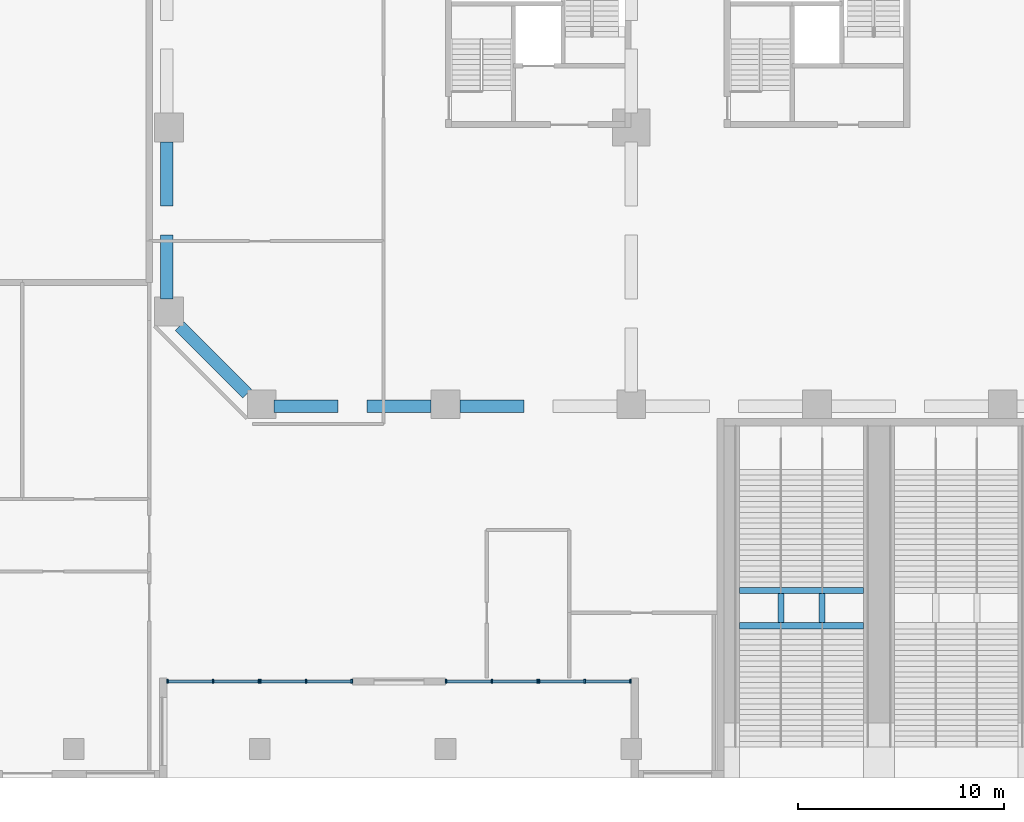
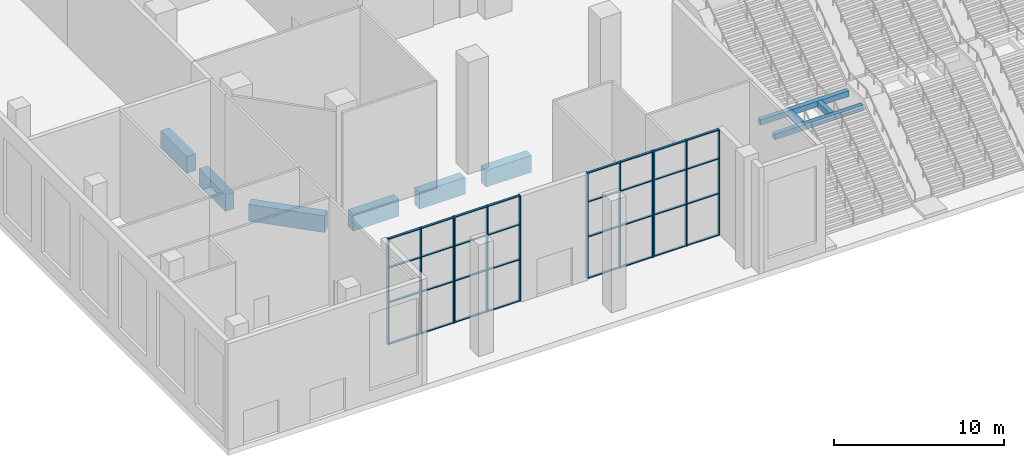
# One storey, part 2 of 32: 44 members, 10 beams, 4 elements without a shape of their own.
"""IFC4 building model written with IfcOpenShell, lengths in metres."""

from ifc_helpers import new_model, si_unit, direction, frame, origin, origin_2d, place, context, subcontext, project, spatial, rectangle, extrude, material, constituent, constituent_set, material_profile, profile_set, type_object, element, aggregate, save


model = new_model("IFC4")

# Units and contexts
model_context = context("Model", 3, precision=1e-05, world=origin(), true_north=direction((0.0, 1.0)))
body_context = subcontext(model_context, "Body", "Model", "MODEL_VIEW")
ifc_project = project(units=[si_unit("LENGTHUNIT", "METRE"), si_unit("AREAUNIT", "SQUARE_METRE"), si_unit("VOLUMEUNIT", "CUBIC_METRE"), si_unit("PLANEANGLEUNIT", "RADIAN"), si_unit("MASSUNIT", "GRAM", prefix="KILO")], contexts=[model_context])

# Site, building, storey
site_placement = place(None, origin())
site = spatial("IfcSite", under=ifc_project, at=site_placement, CompositionType="ELEMENT")
building_placement = place(site_placement, origin())
building = spatial("IfcBuilding", under=site, at=building_placement, Name="Quoin Convention Tower", CompositionType="ELEMENT")
storey_placement = place(building_placement, origin())
storey = spatial("IfcBuildingStorey", under=building, at=storey_placement, Name="L00", CompositionType="ELEMENT", Elevation=0.0)

# Curtain wall, members
ifc_material_1 = material(Name="Aluminium", Category="aluminium")
ifc_constituent_1 = constituent(ifc_material_1, Name="Frame")
ifc_material_2 = material(Name="Insulated glass", Category="glass")
ifc_constituent_2 = constituent(ifc_material_2, Name="Glazing")
ifc_constituent_set = constituent_set(constituents=[ifc_constituent_1, ifc_constituent_2], Name="Aluminium")
curtain_wall_type = type_object("IfcCurtainWallType", Name="Entrance wall system", PredefinedType="NOTDEFINED", material=ifc_constituent_set)
curtain_wall_1_placement = place(storey_placement, origin())
curtain_wall_1 = element("IfcCurtainWall", 1, at=curtain_wall_1_placement, inside=storey, type_object=curtain_wall_type, Name="cw-ENT-L00-13500_4675", PredefinedType="NOTDEFINED")
ifc_material_profile_1 = material_profile(ifc_material_1, rectangle(XDim=0.199951171875, YDim=0.074951171875, at=origin_2d()), Name="Entrance wall mullion 75x200")
ifc_profile_set_1 = profile_set([ifc_material_profile_1], Name="Aluminium")
member_type_1 = type_object("IfcMemberType", Name="Entrance wall mullion 75x200", PredefinedType="MULLION", material=ifc_profile_set_1)
member_1_placement = place(storey_placement, frame((13.53759765625, 4.675048828125, 0.0), z_axis=(0.0, 0.0, 1.0), x_axis=(0.0, 1.0, 0.0)))
member_1 = element("IfcMember", 2, at=member_1_placement, type_object=member_type_1, Name="CW1 mullion 1", PredefinedType="MULLION", context=body_context, shape_type="SweptSolid", body=[
    extrude(rectangle(XDim=0.199951171875, YDim=0.074951171875, at=origin_2d()), origin(), (0.0, 0.0, 1.0), 7.590087890625),
])
member_2_placement = place(storey_placement, frame((15.75, 4.675048828125, 0.0), z_axis=(0.0, 0.0, 1.0), x_axis=(0.0, 1.0, 0.0)))
member_2 = element("IfcMember", 3, at=member_2_placement, type_object=member_type_1, Name="CW1 mullion 2", PredefinedType="MULLION", context=body_context, shape_type="SweptSolid", body=[
    extrude(rectangle(XDim=0.199951171875, YDim=0.074951171875, at=origin_2d()), origin(), (0.0, 0.0, 1.0), 7.590087890625),
])
member_3_placement = place(storey_placement, frame((17.96240234375, 4.675048828125, 0.0), z_axis=(0.0, 0.0, 1.0), x_axis=(0.0, 1.0, 0.0)))
member_3 = element("IfcMember", 4, at=member_3_placement, type_object=member_type_1, Name="CW1 mullion 3", PredefinedType="MULLION", context=body_context, shape_type="SweptSolid", body=[
    extrude(rectangle(XDim=0.199951171875, YDim=0.074951171875, at=origin_2d()), origin(), (0.0, 0.0, 1.0), 7.590087890625),
])

curtain_wall_2_placement = place(storey_placement, origin())
curtain_wall_2 = element("IfcCurtainWall", 5, at=curtain_wall_2_placement, inside=storey, type_object=curtain_wall_type, Name="cw-ENT-L00-18000_4675", PredefinedType="NOTDEFINED")
member_4_placement = place(storey_placement, frame((18.03759765625, 4.675048828125, 0.0), z_axis=(0.0, 0.0, 1.0), x_axis=(0.0, 1.0, 0.0)))
member_4 = element("IfcMember", 6, at=member_4_placement, type_object=member_type_1, Name="CW1 mullion 1", PredefinedType="MULLION", context=body_context, shape_type="SweptSolid", body=[
    extrude(rectangle(XDim=0.199951171875, YDim=0.074951171875, at=origin_2d()), origin(), (0.0, 0.0, 1.0), 7.590087890625),
])
member_5_placement = place(storey_placement, frame((20.25, 4.675048828125, 0.0), z_axis=(0.0, 0.0, 1.0), x_axis=(0.0, 1.0, 0.0)))
member_5 = element("IfcMember", 7, at=member_5_placement, type_object=member_type_1, Name="CW1 mullion 2", PredefinedType="MULLION", context=body_context, shape_type="SweptSolid", body=[
    extrude(rectangle(XDim=0.199951171875, YDim=0.074951171875, at=origin_2d()), origin(), (0.0, 0.0, 1.0), 7.590087890625),
])
member_6_placement = place(storey_placement, frame((22.46240234375, 4.675048828125, 0.0), z_axis=(0.0, 0.0, 1.0), x_axis=(0.0, 1.0, 0.0)))
member_6 = element("IfcMember", 8, at=member_6_placement, type_object=member_type_1, Name="CW1 mullion 3", PredefinedType="MULLION", context=body_context, shape_type="SweptSolid", body=[
    extrude(rectangle(XDim=0.199951171875, YDim=0.074951171875, at=origin_2d()), origin(), (0.0, 0.0, 1.0), 7.590087890625),
])

curtain_wall_3_placement = place(storey_placement, origin())
curtain_wall_3 = element("IfcCurtainWall", 9, at=curtain_wall_3_placement, inside=storey, type_object=curtain_wall_type, Name="cw-ENT-L00-27000_4675", PredefinedType="NOTDEFINED")
member_7_placement = place(storey_placement, frame((27.03759765625, 4.675048828125, 0.0), z_axis=(0.0, 0.0, 1.0), x_axis=(0.0, 1.0, 0.0)))
member_7 = element("IfcMember", 10, at=member_7_placement, type_object=member_type_1, Name="CW1 mullion 1", PredefinedType="MULLION", context=body_context, shape_type="SweptSolid", body=[
    extrude(rectangle(XDim=0.199951171875, YDim=0.074951171875, at=origin_2d()), origin(), (0.0, 0.0, 1.0), 7.590087890625),
])
member_8_placement = place(storey_placement, frame((29.25, 4.675048828125, 0.0), z_axis=(0.0, 0.0, 1.0), x_axis=(0.0, 1.0, 0.0)))
member_8 = element("IfcMember", 11, at=member_8_placement, type_object=member_type_1, Name="CW1 mullion 2", PredefinedType="MULLION", context=body_context, shape_type="SweptSolid", body=[
    extrude(rectangle(XDim=0.199951171875, YDim=0.074951171875, at=origin_2d()), origin(), (0.0, 0.0, 1.0), 7.590087890625),
])
member_9_placement = place(storey_placement, frame((31.46240234375, 4.675048828125, 0.0), z_axis=(0.0, 0.0, 1.0), x_axis=(0.0, 1.0, 0.0)))
member_9 = element("IfcMember", 12, at=member_9_placement, type_object=member_type_1, Name="CW1 mullion 3", PredefinedType="MULLION", context=body_context, shape_type="SweptSolid", body=[
    extrude(rectangle(XDim=0.199951171875, YDim=0.074951171875, at=origin_2d()), origin(), (0.0, 0.0, 1.0), 7.590087890625),
])

curtain_wall_4_placement = place(storey_placement, origin())
curtain_wall_4 = element("IfcCurtainWall", 13, at=curtain_wall_4_placement, inside=storey, type_object=curtain_wall_type, Name="cw-ENT-L00-31500_4675", PredefinedType="NOTDEFINED")
member_10_placement = place(storey_placement, frame((31.53759765625, 4.675048828125, 0.0), z_axis=(0.0, 0.0, 1.0), x_axis=(0.0, 1.0, 0.0)))
member_10 = element("IfcMember", 14, at=member_10_placement, type_object=member_type_1, Name="CW1 mullion 1", PredefinedType="MULLION", context=body_context, shape_type="SweptSolid", body=[
    extrude(rectangle(XDim=0.199951171875, YDim=0.074951171875, at=origin_2d()), origin(), (0.0, 0.0, 1.0), 7.590087890625),
])
member_11_placement = place(storey_placement, frame((33.75, 4.675048828125, 0.0), z_axis=(0.0, 0.0, 1.0), x_axis=(0.0, 1.0, 0.0)))
member_11 = element("IfcMember", 15, at=member_11_placement, type_object=member_type_1, Name="CW1 mullion 2", PredefinedType="MULLION", context=body_context, shape_type="SweptSolid", body=[
    extrude(rectangle(XDim=0.199951171875, YDim=0.074951171875, at=origin_2d()), origin(), (0.0, 0.0, 1.0), 7.590087890625),
])
member_12_placement = place(storey_placement, frame((35.96240234375, 4.675048828125, 0.0), z_axis=(0.0, 0.0, 1.0), x_axis=(0.0, 1.0, 0.0)))
member_12 = element("IfcMember", 16, at=member_12_placement, type_object=member_type_1, Name="CW1 mullion 3", PredefinedType="MULLION", context=body_context, shape_type="SweptSolid", body=[
    extrude(rectangle(XDim=0.199951171875, YDim=0.074951171875, at=origin_2d()), origin(), (0.0, 0.0, 1.0), 7.590087890625),
])

# Member
ifc_material_profile_2 = material_profile(ifc_material_1, rectangle(XDim=0.14990234375, YDim=0.06005859375, at=origin_2d()), Name="Entrance wall transom 60x150")
ifc_profile_set_2 = profile_set([ifc_material_profile_2], Name="Aluminium")
member_type_2 = type_object("IfcMemberType", Name="Entrance wall transom 60x150", PredefinedType="USERDEFINED", material=ifc_profile_set_2)
member_13_placement = place(storey_placement, frame((13.574951171875, 4.675048828125, 0.030029296875), z_axis=(1.0, 0.0, 0.0), x_axis=(0.0, 1.0, 0.0)))
member_13 = element("IfcMember", 17, at=member_13_placement, type_object=member_type_2, Name="CW1 transom 1.1", ObjectType="TRANSOM", PredefinedType="USERDEFINED", context=body_context, shape_type="SweptSolid", body=[
    extrude(rectangle(XDim=0.14990234375, YDim=0.06005859375, at=origin_2d()), origin(), (0.0, 0.0, 1.0), 2.137451171875),
])

member_14_placement = place(storey_placement, frame((13.574951171875, 4.675048828125, 3.0), z_axis=(1.0, 0.0, 0.0), x_axis=(0.0, 1.0, 0.0)))
member_14 = element("IfcMember", 18, at=member_14_placement, type_object=member_type_2, Name="CW1 transom 1.2", ObjectType="TRANSOM", PredefinedType="USERDEFINED", context=body_context, shape_type="SweptSolid", body=[
    extrude(rectangle(XDim=0.14990234375, YDim=0.06005859375, at=origin_2d()), origin(), (0.0, 0.0, 1.0), 2.137451171875),
])

member_15_placement = place(storey_placement, frame((13.574951171875, 4.675048828125, 5.5), z_axis=(1.0, 0.0, 0.0), x_axis=(0.0, 1.0, 0.0)))
member_15 = element("IfcMember", 19, at=member_15_placement, type_object=member_type_2, Name="CW1 transom 1.3", ObjectType="TRANSOM", PredefinedType="USERDEFINED", context=body_context, shape_type="SweptSolid", body=[
    extrude(rectangle(XDim=0.14990234375, YDim=0.06005859375, at=origin_2d()), origin(), (0.0, 0.0, 1.0), 2.137451171875),
])

member_16_placement = place(storey_placement, frame((13.574951171875, 4.675048828125, 7.56005859375), z_axis=(1.0, 0.0, 0.0), x_axis=(0.0, 1.0, 0.0)))
member_16 = element("IfcMember", 20, at=member_16_placement, type_object=member_type_2, Name="CW1 transom 1.4", ObjectType="TRANSOM", PredefinedType="USERDEFINED", context=body_context, shape_type="SweptSolid", body=[
    extrude(rectangle(XDim=0.14990234375, YDim=0.06005859375, at=origin_2d()), origin(), (0.0, 0.0, 1.0), 2.137451171875),
])

member_17_placement = place(storey_placement, frame((15.78759765625, 4.675048828125, 0.030029296875), z_axis=(1.0, 0.0, 0.0), x_axis=(0.0, 1.0, 0.0)))
member_17 = element("IfcMember", 21, at=member_17_placement, type_object=member_type_2, Name="CW1 transom 2.1", ObjectType="TRANSOM", PredefinedType="USERDEFINED", context=body_context, shape_type="SweptSolid", body=[
    extrude(rectangle(XDim=0.14990234375, YDim=0.06005859375, at=origin_2d()), origin(), (0.0, 0.0, 1.0), 2.137451171875),
])

member_18_placement = place(storey_placement, frame((15.78759765625, 4.675048828125, 3.0), z_axis=(1.0, 0.0, 0.0), x_axis=(0.0, 1.0, 0.0)))
member_18 = element("IfcMember", 22, at=member_18_placement, type_object=member_type_2, Name="CW1 transom 2.2", ObjectType="TRANSOM", PredefinedType="USERDEFINED", context=body_context, shape_type="SweptSolid", body=[
    extrude(rectangle(XDim=0.14990234375, YDim=0.06005859375, at=origin_2d()), origin(), (0.0, 0.0, 1.0), 2.137451171875),
])

member_19_placement = place(storey_placement, frame((15.78759765625, 4.675048828125, 5.5), z_axis=(1.0, 0.0, 0.0), x_axis=(0.0, 1.0, 0.0)))
member_19 = element("IfcMember", 23, at=member_19_placement, type_object=member_type_2, Name="CW1 transom 2.3", ObjectType="TRANSOM", PredefinedType="USERDEFINED", context=body_context, shape_type="SweptSolid", body=[
    extrude(rectangle(XDim=0.14990234375, YDim=0.06005859375, at=origin_2d()), origin(), (0.0, 0.0, 1.0), 2.137451171875),
])

member_20_placement = place(storey_placement, frame((15.78759765625, 4.675048828125, 7.56005859375), z_axis=(1.0, 0.0, 0.0), x_axis=(0.0, 1.0, 0.0)))
member_20 = element("IfcMember", 24, at=member_20_placement, type_object=member_type_2, Name="CW1 transom 2.4", ObjectType="TRANSOM", PredefinedType="USERDEFINED", context=body_context, shape_type="SweptSolid", body=[
    extrude(rectangle(XDim=0.14990234375, YDim=0.06005859375, at=origin_2d()), origin(), (0.0, 0.0, 1.0), 2.137451171875),
])

aggregate(curtain_wall_1, [member_1, member_2, member_3, member_13, member_14, member_15, member_16, member_17, member_18, member_19, member_20])

member_21_placement = place(storey_placement, frame((18.074951171875, 4.675048828125, 0.030029296875), z_axis=(1.0, 0.0, 0.0), x_axis=(0.0, 1.0, 0.0)))
member_21 = element("IfcMember", 25, at=member_21_placement, type_object=member_type_2, Name="CW1 transom 1.1", ObjectType="TRANSOM", PredefinedType="USERDEFINED", context=body_context, shape_type="SweptSolid", body=[
    extrude(rectangle(XDim=0.14990234375, YDim=0.06005859375, at=origin_2d()), origin(), (0.0, 0.0, 1.0), 2.137451171875),
])

member_22_placement = place(storey_placement, frame((18.074951171875, 4.675048828125, 3.0), z_axis=(1.0, 0.0, 0.0), x_axis=(0.0, 1.0, 0.0)))
member_22 = element("IfcMember", 26, at=member_22_placement, type_object=member_type_2, Name="CW1 transom 1.2", ObjectType="TRANSOM", PredefinedType="USERDEFINED", context=body_context, shape_type="SweptSolid", body=[
    extrude(rectangle(XDim=0.14990234375, YDim=0.06005859375, at=origin_2d()), origin(), (0.0, 0.0, 1.0), 2.137451171875),
])

member_23_placement = place(storey_placement, frame((18.074951171875, 4.675048828125, 5.5), z_axis=(1.0, 0.0, 0.0), x_axis=(0.0, 1.0, 0.0)))
member_23 = element("IfcMember", 27, at=member_23_placement, type_object=member_type_2, Name="CW1 transom 1.3", ObjectType="TRANSOM", PredefinedType="USERDEFINED", context=body_context, shape_type="SweptSolid", body=[
    extrude(rectangle(XDim=0.14990234375, YDim=0.06005859375, at=origin_2d()), origin(), (0.0, 0.0, 1.0), 2.137451171875),
])

member_24_placement = place(storey_placement, frame((18.074951171875, 4.675048828125, 7.56005859375), z_axis=(1.0, 0.0, 0.0), x_axis=(0.0, 1.0, 0.0)))
member_24 = element("IfcMember", 28, at=member_24_placement, type_object=member_type_2, Name="CW1 transom 1.4", ObjectType="TRANSOM", PredefinedType="USERDEFINED", context=body_context, shape_type="SweptSolid", body=[
    extrude(rectangle(XDim=0.14990234375, YDim=0.06005859375, at=origin_2d()), origin(), (0.0, 0.0, 1.0), 2.137451171875),
])

member_25_placement = place(storey_placement, frame((20.28759765625, 4.675048828125, 0.030029296875), z_axis=(1.0, 0.0, 0.0), x_axis=(0.0, 1.0, 0.0)))
member_25 = element("IfcMember", 29, at=member_25_placement, type_object=member_type_2, Name="CW1 transom 2.1", ObjectType="TRANSOM", PredefinedType="USERDEFINED", context=body_context, shape_type="SweptSolid", body=[
    extrude(rectangle(XDim=0.14990234375, YDim=0.06005859375, at=origin_2d()), origin(), (0.0, 0.0, 1.0), 2.137451171875),
])

member_26_placement = place(storey_placement, frame((20.28759765625, 4.675048828125, 3.0), z_axis=(1.0, 0.0, 0.0), x_axis=(0.0, 1.0, 0.0)))
member_26 = element("IfcMember", 30, at=member_26_placement, type_object=member_type_2, Name="CW1 transom 2.2", ObjectType="TRANSOM", PredefinedType="USERDEFINED", context=body_context, shape_type="SweptSolid", body=[
    extrude(rectangle(XDim=0.14990234375, YDim=0.06005859375, at=origin_2d()), origin(), (0.0, 0.0, 1.0), 2.137451171875),
])

member_27_placement = place(storey_placement, frame((20.28759765625, 4.675048828125, 5.5), z_axis=(1.0, 0.0, 0.0), x_axis=(0.0, 1.0, 0.0)))
member_27 = element("IfcMember", 31, at=member_27_placement, type_object=member_type_2, Name="CW1 transom 2.3", ObjectType="TRANSOM", PredefinedType="USERDEFINED", context=body_context, shape_type="SweptSolid", body=[
    extrude(rectangle(XDim=0.14990234375, YDim=0.06005859375, at=origin_2d()), origin(), (0.0, 0.0, 1.0), 2.137451171875),
])

member_28_placement = place(storey_placement, frame((20.28759765625, 4.675048828125, 7.56005859375), z_axis=(1.0, 0.0, 0.0), x_axis=(0.0, 1.0, 0.0)))
member_28 = element("IfcMember", 32, at=member_28_placement, type_object=member_type_2, Name="CW1 transom 2.4", ObjectType="TRANSOM", PredefinedType="USERDEFINED", context=body_context, shape_type="SweptSolid", body=[
    extrude(rectangle(XDim=0.14990234375, YDim=0.06005859375, at=origin_2d()), origin(), (0.0, 0.0, 1.0), 2.137451171875),
])

aggregate(curtain_wall_2, [member_4, member_5, member_6, member_21, member_22, member_23, member_24, member_25, member_26, member_27, member_28])

member_29_placement = place(storey_placement, frame((27.074951171875, 4.675048828125, 0.030029296875), z_axis=(1.0, 0.0, 0.0), x_axis=(0.0, 1.0, 0.0)))
member_29 = element("IfcMember", 33, at=member_29_placement, type_object=member_type_2, Name="CW1 transom 1.1", ObjectType="TRANSOM", PredefinedType="USERDEFINED", context=body_context, shape_type="SweptSolid", body=[
    extrude(rectangle(XDim=0.14990234375, YDim=0.06005859375, at=origin_2d()), origin(), (0.0, 0.0, 1.0), 2.137451171875),
])

member_30_placement = place(storey_placement, frame((27.074951171875, 4.675048828125, 3.0), z_axis=(1.0, 0.0, 0.0), x_axis=(0.0, 1.0, 0.0)))
member_30 = element("IfcMember", 34, at=member_30_placement, type_object=member_type_2, Name="CW1 transom 1.2", ObjectType="TRANSOM", PredefinedType="USERDEFINED", context=body_context, shape_type="SweptSolid", body=[
    extrude(rectangle(XDim=0.14990234375, YDim=0.06005859375, at=origin_2d()), origin(), (0.0, 0.0, 1.0), 2.137451171875),
])

member_31_placement = place(storey_placement, frame((27.074951171875, 4.675048828125, 5.5), z_axis=(1.0, 0.0, 0.0), x_axis=(0.0, 1.0, 0.0)))
member_31 = element("IfcMember", 35, at=member_31_placement, type_object=member_type_2, Name="CW1 transom 1.3", ObjectType="TRANSOM", PredefinedType="USERDEFINED", context=body_context, shape_type="SweptSolid", body=[
    extrude(rectangle(XDim=0.14990234375, YDim=0.06005859375, at=origin_2d()), origin(), (0.0, 0.0, 1.0), 2.137451171875),
])

member_32_placement = place(storey_placement, frame((27.074951171875, 4.675048828125, 7.56005859375), z_axis=(1.0, 0.0, 0.0), x_axis=(0.0, 1.0, 0.0)))
member_32 = element("IfcMember", 36, at=member_32_placement, type_object=member_type_2, Name="CW1 transom 1.4", ObjectType="TRANSOM", PredefinedType="USERDEFINED", context=body_context, shape_type="SweptSolid", body=[
    extrude(rectangle(XDim=0.14990234375, YDim=0.06005859375, at=origin_2d()), origin(), (0.0, 0.0, 1.0), 2.137451171875),
])

member_33_placement = place(storey_placement, frame((29.28759765625, 4.675048828125, 0.030029296875), z_axis=(1.0, 0.0, 0.0), x_axis=(0.0, 1.0, 0.0)))
member_33 = element("IfcMember", 37, at=member_33_placement, type_object=member_type_2, Name="CW1 transom 2.1", ObjectType="TRANSOM", PredefinedType="USERDEFINED", context=body_context, shape_type="SweptSolid", body=[
    extrude(rectangle(XDim=0.14990234375, YDim=0.06005859375, at=origin_2d()), origin(), (0.0, 0.0, 1.0), 2.137451171875),
])

member_34_placement = place(storey_placement, frame((29.28759765625, 4.675048828125, 3.0), z_axis=(1.0, 0.0, 0.0), x_axis=(0.0, 1.0, 0.0)))
member_34 = element("IfcMember", 38, at=member_34_placement, type_object=member_type_2, Name="CW1 transom 2.2", ObjectType="TRANSOM", PredefinedType="USERDEFINED", context=body_context, shape_type="SweptSolid", body=[
    extrude(rectangle(XDim=0.14990234375, YDim=0.06005859375, at=origin_2d()), origin(), (0.0, 0.0, 1.0), 2.137451171875),
])

member_35_placement = place(storey_placement, frame((29.28759765625, 4.675048828125, 5.5), z_axis=(1.0, 0.0, 0.0), x_axis=(0.0, 1.0, 0.0)))
member_35 = element("IfcMember", 39, at=member_35_placement, type_object=member_type_2, Name="CW1 transom 2.3", ObjectType="TRANSOM", PredefinedType="USERDEFINED", context=body_context, shape_type="SweptSolid", body=[
    extrude(rectangle(XDim=0.14990234375, YDim=0.06005859375, at=origin_2d()), origin(), (0.0, 0.0, 1.0), 2.137451171875),
])

member_36_placement = place(storey_placement, frame((29.28759765625, 4.675048828125, 7.56005859375), z_axis=(1.0, 0.0, 0.0), x_axis=(0.0, 1.0, 0.0)))
member_36 = element("IfcMember", 40, at=member_36_placement, type_object=member_type_2, Name="CW1 transom 2.4", ObjectType="TRANSOM", PredefinedType="USERDEFINED", context=body_context, shape_type="SweptSolid", body=[
    extrude(rectangle(XDim=0.14990234375, YDim=0.06005859375, at=origin_2d()), origin(), (0.0, 0.0, 1.0), 2.137451171875),
])

aggregate(curtain_wall_3, [member_7, member_8, member_9, member_29, member_30, member_31, member_32, member_33, member_34, member_35, member_36])

member_37_placement = place(storey_placement, frame((31.574951171875, 4.675048828125, 0.030029296875), z_axis=(1.0, 0.0, 0.0), x_axis=(0.0, 1.0, 0.0)))
member_37 = element("IfcMember", 41, at=member_37_placement, type_object=member_type_2, Name="CW1 transom 1.1", ObjectType="TRANSOM", PredefinedType="USERDEFINED", context=body_context, shape_type="SweptSolid", body=[
    extrude(rectangle(XDim=0.14990234375, YDim=0.06005859375, at=origin_2d()), origin(), (0.0, 0.0, 1.0), 2.137451171875),
])

member_38_placement = place(storey_placement, frame((31.574951171875, 4.675048828125, 3.0), z_axis=(1.0, 0.0, 0.0), x_axis=(0.0, 1.0, 0.0)))
member_38 = element("IfcMember", 42, at=member_38_placement, type_object=member_type_2, Name="CW1 transom 1.2", ObjectType="TRANSOM", PredefinedType="USERDEFINED", context=body_context, shape_type="SweptSolid", body=[
    extrude(rectangle(XDim=0.14990234375, YDim=0.06005859375, at=origin_2d()), origin(), (0.0, 0.0, 1.0), 2.137451171875),
])

member_39_placement = place(storey_placement, frame((31.574951171875, 4.675048828125, 5.5), z_axis=(1.0, 0.0, 0.0), x_axis=(0.0, 1.0, 0.0)))
member_39 = element("IfcMember", 43, at=member_39_placement, type_object=member_type_2, Name="CW1 transom 1.3", ObjectType="TRANSOM", PredefinedType="USERDEFINED", context=body_context, shape_type="SweptSolid", body=[
    extrude(rectangle(XDim=0.14990234375, YDim=0.06005859375, at=origin_2d()), origin(), (0.0, 0.0, 1.0), 2.137451171875),
])

member_40_placement = place(storey_placement, frame((31.574951171875, 4.675048828125, 7.56005859375), z_axis=(1.0, 0.0, 0.0), x_axis=(0.0, 1.0, 0.0)))
member_40 = element("IfcMember", 44, at=member_40_placement, type_object=member_type_2, Name="CW1 transom 1.4", ObjectType="TRANSOM", PredefinedType="USERDEFINED", context=body_context, shape_type="SweptSolid", body=[
    extrude(rectangle(XDim=0.14990234375, YDim=0.06005859375, at=origin_2d()), origin(), (0.0, 0.0, 1.0), 2.137451171875),
])

member_41_placement = place(storey_placement, frame((33.78759765625, 4.675048828125, 0.030029296875), z_axis=(1.0, 0.0, 0.0), x_axis=(0.0, 1.0, 0.0)))
member_41 = element("IfcMember", 45, at=member_41_placement, type_object=member_type_2, Name="CW1 transom 2.1", ObjectType="TRANSOM", PredefinedType="USERDEFINED", context=body_context, shape_type="SweptSolid", body=[
    extrude(rectangle(XDim=0.14990234375, YDim=0.06005859375, at=origin_2d()), origin(), (0.0, 0.0, 1.0), 2.137451171875),
])

member_42_placement = place(storey_placement, frame((33.78759765625, 4.675048828125, 3.0), z_axis=(1.0, 0.0, 0.0), x_axis=(0.0, 1.0, 0.0)))
member_42 = element("IfcMember", 46, at=member_42_placement, type_object=member_type_2, Name="CW1 transom 2.2", ObjectType="TRANSOM", PredefinedType="USERDEFINED", context=body_context, shape_type="SweptSolid", body=[
    extrude(rectangle(XDim=0.14990234375, YDim=0.06005859375, at=origin_2d()), origin(), (0.0, 0.0, 1.0), 2.137451171875),
])

member_43_placement = place(storey_placement, frame((33.78759765625, 4.675048828125, 5.5), z_axis=(1.0, 0.0, 0.0), x_axis=(0.0, 1.0, 0.0)))
member_43 = element("IfcMember", 47, at=member_43_placement, type_object=member_type_2, Name="CW1 transom 2.3", ObjectType="TRANSOM", PredefinedType="USERDEFINED", context=body_context, shape_type="SweptSolid", body=[
    extrude(rectangle(XDim=0.14990234375, YDim=0.06005859375, at=origin_2d()), origin(), (0.0, 0.0, 1.0), 2.137451171875),
])

member_44_placement = place(storey_placement, frame((33.78759765625, 4.675048828125, 7.56005859375), z_axis=(1.0, 0.0, 0.0), x_axis=(0.0, 1.0, 0.0)))
member_44 = element("IfcMember", 48, at=member_44_placement, type_object=member_type_2, Name="CW1 transom 2.4", ObjectType="TRANSOM", PredefinedType="USERDEFINED", context=body_context, shape_type="SweptSolid", body=[
    extrude(rectangle(XDim=0.14990234375, YDim=0.06005859375, at=origin_2d()), origin(), (0.0, 0.0, 1.0), 2.137451171875),
])

aggregate(curtain_wall_4, [member_10, member_11, member_12, member_37, member_38, member_39, member_40, member_41, member_42, member_43, member_44])

# Beams
ifc_material_3 = material(Name="Concrete C40", Category="concrete")
ifc_material_profile_3 = material_profile(ifc_material_3, rectangle(XDim=0.300048828125, YDim=0.39990234375, at=origin_2d()), Name="RC 300x400")
ifc_profile_set_3 = profile_set([ifc_material_profile_3], Name="Concrete C40")
beam_type_1 = type_object("IfcBeamType", Name="RC 300x400 C40", PredefinedType="BEAM", material=ifc_profile_set_3)
for number, where, z_axis, x_axis, name in (
    (49, (41.25, 7.3701171875, 3.60009765625), (1.0, 0.0, 0.0), (0.0, 1.0, 0.0), "bst-lb-1F"),
    (50, (41.25, 9.070068359375, 3.60009765625), (1.0, 0.0, 0.0), (0.0, 1.0, 0.0), "bst-lb-1R"),
):
    element("IfcBeam", number, at=place(storey_placement, frame(where, z_axis=z_axis, x_axis=x_axis)), inside=storey, type_object=beam_type_1, Name=name, PredefinedType="BEAM", context=body_context, shape_type="SweptSolid", body=[
        extrude(rectangle(XDim=0.300048828125, YDim=0.39990234375, at=origin_2d()), origin(), (0.0, 0.0, 1.0), 6.0),
    ])
for number, where, z_axis, x_axis, name in (
    (51, (43.25, 7.52001953125, 3.60009765625), (0.0, 1.0, 0.0), (-1.0, 0.0, 0.0), "bst-lb-1J1"),
    (52, (45.25, 7.52001953125, 3.60009765625), (0.0, 1.0, 0.0), (-1.0, 0.0, 0.0), "bst-lb-1J2"),
):
    element("IfcBeam", number, at=place(storey_placement, frame(where, z_axis=z_axis, x_axis=x_axis)), inside=storey, type_object=beam_type_1, Name=name, PredefinedType="BEAM", context=body_context, shape_type="SweptSolid", body=[
        extrude(rectangle(XDim=0.300048828125, YDim=0.39990234375, at=origin_2d()), origin(), (0.0, 0.0, 1.0), 1.39990234375),
    ])
ifc_material_4 = material(Name="Concrete C100 (100 MPa)", Category="concrete")
ifc_material_profile_4 = material_profile(ifc_material_4, rectangle(XDim=0.60009765625, YDim=1.199951171875, at=origin_2d()), Name="RC 600x1200")
ifc_profile_set_4 = profile_set([ifc_material_profile_4], Name="Concrete C100 (100 MPa)")
beam_type_2 = type_object("IfcBeamType", Name="RC 600x1200 C100", PredefinedType="SPANDREL", material=ifc_profile_set_4)
beam_placement = place(storey_placement, frame((14.114990234375, 21.885009765625, -1.0), z_axis=(0.707106781187, -0.707106781187, 0.0), x_axis=(0.707106781187, 0.707106781187, 0.0)))
element("IfcBeam", 53, at=beam_placement, inside=storey, type_object=beam_type_2, Name="spd-L00-13500_22500-18000_18000", PredefinedType="SPANDREL", context=body_context, shape_type="SweptSolid", body=[
    extrude(rectangle(XDim=0.60009765625, YDim=1.199951171875, at=origin_2d()), origin(), (0.0, 0.0, 1.0), 4.62451171875),
])
for number, where, z_axis, x_axis, name in (
    (54, (18.699951171875, 18.0, -1.0), (1.0, 0.0, 0.0), (0.0, 1.0, 0.0), "spd-L00-18000_18000-22500_18000"),
    (55, (23.199951171875, 18.0, -1.0), (1.0, 0.0, 0.0), (0.0, 1.0, 0.0), "spd-L00-22500_18000-27000_18000"),
    (56, (27.699951171875, 18.0, -1.0), (1.0, 0.0, 0.0), (0.0, 1.0, 0.0), "spd-L00-27000_18000-31500_18000"),
    (57, (13.5, 30.800048828125, -1.0), (0.0, -1.0, 0.0), (1.0, 0.0, 0.0), "spd-L00-13500_31500-13500_27000"),
    (58, (13.5, 26.300048828125, -1.0), (0.0, -1.0, 0.0), (1.0, 0.0, 0.0), "spd-L00-13500_27000-13500_22500"),
):
    element("IfcBeam", number, at=place(storey_placement, frame(where, z_axis=z_axis, x_axis=x_axis)), inside=storey, type_object=beam_type_2, Name=name, PredefinedType="SPANDREL", context=body_context, shape_type="SweptSolid", body=[
        extrude(rectangle(XDim=0.60009765625, YDim=1.199951171875, at=origin_2d()), origin(), (0.0, 0.0, 1.0), 3.10009765625),
    ])

save(model, "model.ifc")
